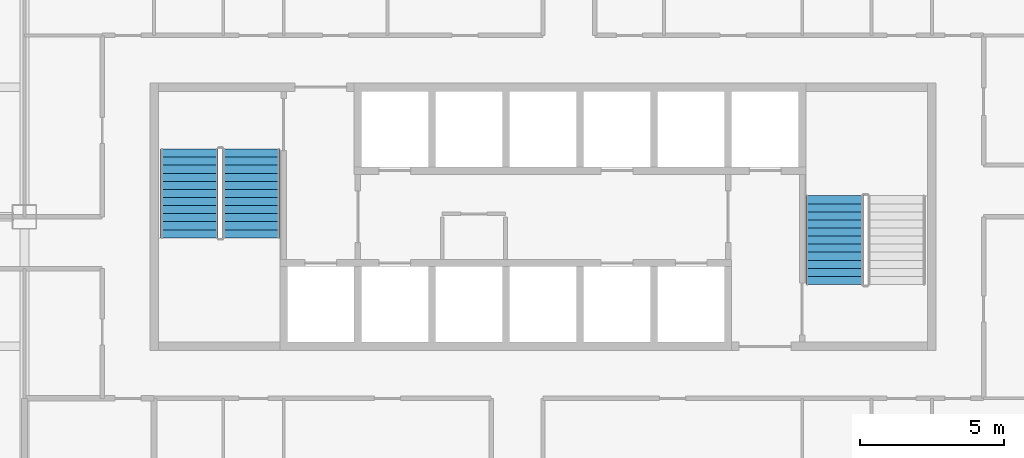
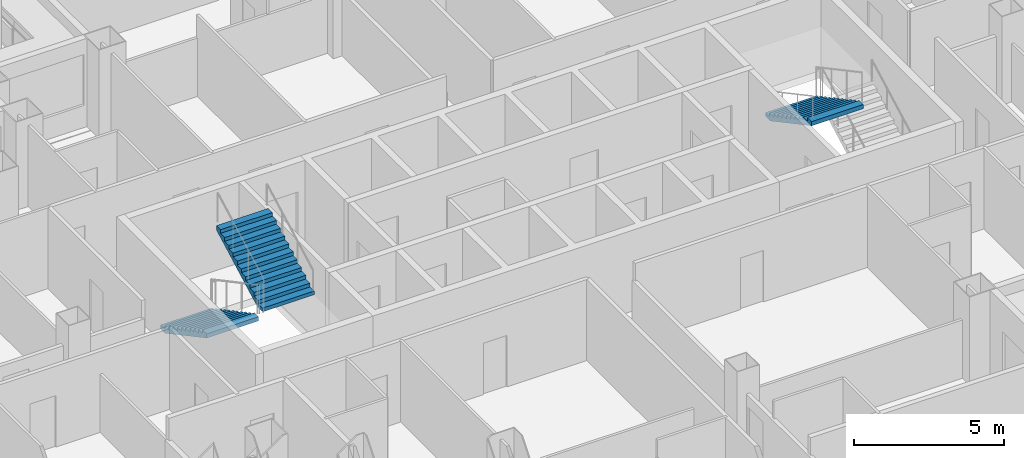
# One storey, part 12 of 26: 3 stair flights, 2 elements without a shape of their own.
"""IFC4 building model written with IfcOpenShell, lengths in metres."""

from ifc_helpers import new_model, si_unit, direction, frame, origin, place, context, subcontext, project, spatial, polygons, material, type_object, element, aggregate, save


model = new_model("IFC4")

# Units and contexts
model_context = context("Model", 3, precision=1e-05, world=origin(), true_north=direction((0.0, 1.0)))
body_context = subcontext(model_context, "Body", "Model", "MODEL_VIEW")
ifc_project = project(units=[si_unit("LENGTHUNIT", "METRE"), si_unit("AREAUNIT", "SQUARE_METRE"), si_unit("VOLUMEUNIT", "CUBIC_METRE"), si_unit("PLANEANGLEUNIT", "RADIAN"), si_unit("MASSUNIT", "GRAM", prefix="KILO")], contexts=[model_context])

# Site, building, storey
site_placement = place(None, origin())
site = spatial("IfcSite", under=ifc_project, at=site_placement, CompositionType="ELEMENT")
building_placement = place(site_placement, origin())
building = spatial("IfcBuilding", under=site, at=building_placement, Name="Caravel Reach Hotel and Residences", CompositionType="ELEMENT")
storey_placement = place(building_placement, frame((0.0, 0.0, 33.60009765625)))
storey = spatial("IfcBuildingStorey", under=building, at=storey_placement, Name="L06", CompositionType="ELEMENT", Elevation=33.60009765625)

# Stair, stair flights
ifc_material_1 = material(Name="Concrete C40", Category="concrete")
stair_type = type_object("IfcStairType", Name="Core stair", PredefinedType="HALF_TURN_STAIR", material=ifc_material_1)
stair_1_placement = place(storey_placement, origin())
stair_1 = element("IfcStair", 1, at=stair_1_placement, inside=storey, type_object=stair_type, Name="L06 Exit stair A", PredefinedType="HALF_TURN_STAIR")
ifc_material_2 = material(Name="Concrete C40", Category="concrete")
stair_flight_type = type_object("IfcStairFlightType", Name="Core stair flight", PredefinedType="STRAIGHT", material=ifc_material_2)
stair_flight_1_placement = place(storey_placement, frame((19.22509765625, 29.35009765625, 0.0), z_axis=(0.0, 0.0, 1.0), x_axis=(0.0, -1.0, 0.0)))
stair_flight_1 = element("IfcStairFlight", 2, at=stair_flight_1_placement, type_object=stair_flight_type, Name="ST-A flight 1", NumberOfRisers=12, NumberOfTreads=11, PredefinedType="STRAIGHT", RiserHeight=0.15, TreadLength=0.28, context=body_context, shape_type="Tessellation", body=[
    polygons([(0.3174408016601862, 1.0, 0.0), (0.3174408016601862, 0.6666666666666667, 0.0), (0.3174408016601862, 0.33333333333333337, 0.0), (0.3174408016601862, 0.0, 0.0), (0.3174408016601862, -0.33333333333333326, 0.0), (0.3174408016601862, -0.6666666666666667, 0.0), (0.3174408016601862, -1.0, 0.0), (3.081, 1.0, 1.479942427682043), (3.081, 0.6666666666666667, 1.479942427682043), (3.081, 0.33333333333333337, 1.479942427682043), (3.081, 0.0, 1.479942427682043), (3.081, -0.33333333333333326, 1.479942427682043), (3.081, -0.6666666666666667, 1.479942427682043), (3.081, -1.0, 1.479942427682043), (3.081, 1.0, 1.65), (3.081, 0.6666666666666667, 1.65), (3.081, 0.33333333333333337, 1.65), (3.081, 0.0, 1.65), (3.081, -0.33333333333333326, 1.65), (3.081, -0.6666666666666667, 1.65), (3.081, -1.0, 1.65), (2.8000000000000003, 1.0, 1.65), (2.8000000000000003, 0.6666666666666667, 1.65), (2.8000000000000003, 0.33333333333333337, 1.65), (2.8000000000000003, 0.0, 1.65), (2.8000000000000003, -0.33333333333333326, 1.65), (2.8000000000000003, -0.6666666666666667, 1.65), (2.8000000000000003, -1.0, 1.65), (2.8000000000000003, 1.0, 1.5), (2.8000000000000003, 0.6666666666666667, 1.5), (2.8000000000000003, 0.33333333333333337, 1.5), (2.8000000000000003, 0.0, 1.5), (2.8000000000000003, -0.33333333333333326, 1.5), (2.8000000000000003, -0.6666666666666667, 1.5), (2.8000000000000003, -1.0, 1.5), (2.5200000000000005, 1.0, 1.5), (2.5200000000000005, 0.6666666666666667, 1.5), (2.5200000000000005, 0.33333333333333337, 1.5), (2.5200000000000005, 0.0, 1.5), (2.5200000000000005, -0.33333333333333326, 1.5), (2.5200000000000005, -0.6666666666666667, 1.5), (2.5200000000000005, -1.0, 1.5), (2.5200000000000005, 1.0, 1.3499999999999999), (2.5200000000000005, 0.6666666666666667, 1.3499999999999999), (2.5200000000000005, 0.33333333333333337, 1.3499999999999999), (2.5200000000000005, 0.0, 1.3499999999999999), (2.5200000000000005, -0.33333333333333326, 1.3499999999999999), (2.5200000000000005, -0.6666666666666667, 1.3499999999999999), (2.5200000000000005, -1.0, 1.3499999999999999), (2.24, 1.0, 1.3499999999999999), (2.24, 0.6666666666666667, 1.3499999999999999), (2.24, 0.33333333333333337, 1.3499999999999999), (2.24, 0.0, 1.3499999999999999), (2.24, -0.33333333333333326, 1.3499999999999999), (2.24, -0.6666666666666667, 1.3499999999999999), (2.24, -1.0, 1.3499999999999999), (2.24, 1.0, 1.2), (2.24, 0.6666666666666667, 1.2), (2.24, 0.33333333333333337, 1.2), (2.24, 0.0, 1.2), (2.24, -0.33333333333333326, 1.2), (2.24, -0.6666666666666667, 1.2), (2.24, -1.0, 1.2), (1.9600000000000002, 1.0, 1.2), (1.9600000000000002, 0.6666666666666667, 1.2), (1.9600000000000002, 0.33333333333333337, 1.2), (1.9600000000000002, 0.0, 1.2), (1.9600000000000002, -0.33333333333333326, 1.2), (1.9600000000000002, -0.6666666666666667, 1.2), (1.9600000000000002, -1.0, 1.2), (1.9600000000000002, 1.0, 1.05), (1.9600000000000002, 0.6666666666666667, 1.05), (1.9600000000000002, 0.33333333333333337, 1.05), (1.9600000000000002, 0.0, 1.05), (1.9600000000000002, -0.33333333333333326, 1.05), (1.9600000000000002, -0.6666666666666667, 1.05), (1.9600000000000002, -1.0, 1.05), (1.6800000000000002, 1.0, 1.05), (1.6800000000000002, 0.6666666666666667, 1.05), (1.6800000000000002, 0.33333333333333337, 1.05), (1.6800000000000002, 0.0, 1.05), (1.6800000000000002, -0.33333333333333326, 1.05), (1.6800000000000002, -0.6666666666666667, 1.05), (1.6800000000000002, -1.0, 1.05), (1.6800000000000002, 1.0, 0.8999999999999999), (1.6800000000000002, 0.6666666666666667, 0.8999999999999999), (1.6800000000000002, 0.33333333333333337, 0.8999999999999999), (1.6800000000000002, 0.0, 0.8999999999999999), (1.6800000000000002, -0.33333333333333326, 0.8999999999999999), (1.6800000000000002, -0.6666666666666667, 0.8999999999999999), (1.6800000000000002, -1.0, 0.8999999999999999), (1.4000000000000001, 1.0, 0.8999999999999999), (1.4000000000000001, 0.6666666666666667, 0.8999999999999999), (1.4000000000000001, 0.33333333333333337, 0.8999999999999999), (1.4000000000000001, 0.0, 0.8999999999999999), (1.4000000000000001, -0.33333333333333326, 0.8999999999999999), (1.4000000000000001, -0.6666666666666667, 0.8999999999999999), (1.4000000000000001, -1.0, 0.8999999999999999), (1.4000000000000001, 1.0, 0.75), (1.4000000000000001, 0.6666666666666667, 0.75), (1.4000000000000001, 0.33333333333333337, 0.75), (1.4000000000000001, 0.0, 0.75), (1.4000000000000001, -0.33333333333333326, 0.75), (1.4000000000000001, -0.6666666666666667, 0.75), (1.4000000000000001, -1.0, 0.75), (1.12, 1.0, 0.75), (1.12, 0.6666666666666667, 0.75), (1.12, 0.33333333333333337, 0.75), (1.12, 0.0, 0.75), (1.12, -0.33333333333333326, 0.75), (1.12, -0.6666666666666667, 0.75), (1.12, -1.0, 0.75), (1.12, 1.0, 0.6), (1.12, 0.6666666666666667, 0.6), (1.12, 0.33333333333333337, 0.6), (1.12, 0.0, 0.6), (1.12, -0.33333333333333326, 0.6), (1.12, -0.6666666666666667, 0.6), (1.12, -1.0, 0.6), (0.8400000000000001, 1.0, 0.6), (0.8400000000000001, 0.6666666666666667, 0.6), (0.8400000000000001, 0.33333333333333337, 0.6), (0.8400000000000001, 0.0, 0.6), (0.8400000000000001, -0.33333333333333326, 0.6), (0.8400000000000001, -0.6666666666666667, 0.6), (0.8400000000000001, -1.0, 0.6), (0.8400000000000001, 1.0, 0.44999999999999996), (0.8400000000000001, 0.6666666666666667, 0.44999999999999996), (0.8400000000000001, 0.33333333333333337, 0.44999999999999996), (0.8400000000000001, 0.0, 0.44999999999999996), (0.8400000000000001, -0.33333333333333326, 0.44999999999999996), (0.8400000000000001, -0.6666666666666667, 0.44999999999999996), (0.8400000000000001, -1.0, 0.44999999999999996), (0.56, 1.0, 0.44999999999999996), (0.56, 0.6666666666666667, 0.44999999999999996), (0.56, 0.33333333333333337, 0.44999999999999996), (0.56, 0.0, 0.44999999999999996), (0.56, -0.33333333333333326, 0.44999999999999996), (0.56, -0.6666666666666667, 0.44999999999999996), (0.56, -1.0, 0.44999999999999996), (0.56, 1.0, 0.3), (0.56, 0.6666666666666667, 0.3), (0.56, 0.33333333333333337, 0.3), (0.56, 0.0, 0.3), (0.56, -0.33333333333333326, 0.3), (0.56, -0.6666666666666667, 0.3), (0.56, -1.0, 0.3), (0.28, 1.0, 0.3), (0.28, 0.6666666666666667, 0.3), (0.28, 0.33333333333333337, 0.3), (0.28, 0.0, 0.3), (0.28, -0.33333333333333326, 0.3), (0.28, -0.6666666666666667, 0.3), (0.28, -1.0, 0.3), (0.28, 1.0, 0.15), (0.28, 0.6666666666666667, 0.15), (0.28, 0.33333333333333337, 0.15), (0.28, 0.0, 0.15), (0.28, -0.33333333333333326, 0.15), (0.28, -0.6666666666666667, 0.15), (0.28, -1.0, 0.15), (-0.001, 1.0, 0.15), (-0.001, 0.6666666666666667, 0.15), (-0.001, 0.33333333333333337, 0.15), (-0.001, 0.0, 0.15), (-0.001, -0.33333333333333326, 0.15), (-0.001, -0.6666666666666667, 0.15), (-0.001, -1.0, 0.15), (-0.001, 1.0, 0.0), (-0.001, 0.6666666666666667, 0.0), (-0.001, 0.33333333333333337, 0.0), (-0.001, 0.0, 0.0), (-0.001, -0.33333333333333326, 0.0), (-0.001, -0.6666666666666667, 0.0), (-0.001, -1.0, 0.0)], [[[169, 162, 155, 148, 141, 134, 127, 120, 113, 106, 99, 92, 85, 78, 71, 64, 57, 50, 43, 36, 29, 22, 15, 8, 1]], [[7, 14, 21, 28, 35, 42, 49, 56, 63, 70, 77, 84, 91, 98, 105, 112, 119, 126, 133, 140, 147, 154, 161, 168, 175]], [[1, 8, 9, 2]], [[2, 9, 10, 3]], [[3, 10, 11, 4]], [[4, 11, 12, 5]], [[5, 12, 13, 6]], [[6, 13, 14, 7]], [[8, 15, 16, 9]], [[9, 16, 17, 10]], [[10, 17, 18, 11]], [[11, 18, 19, 12]], [[12, 19, 20, 13]], [[13, 20, 21, 14]], [[15, 22, 23, 16]], [[16, 23, 24, 17]], [[17, 24, 25, 18]], [[18, 25, 26, 19]], [[19, 26, 27, 20]], [[20, 27, 28, 21]], [[22, 29, 30, 23]], [[23, 30, 31, 24]], [[24, 31, 32, 25]], [[25, 32, 33, 26]], [[26, 33, 34, 27]], [[27, 34, 35, 28]], [[29, 36, 37, 30]], [[30, 37, 38, 31]], [[31, 38, 39, 32]], [[32, 39, 40, 33]], [[33, 40, 41, 34]], [[34, 41, 42, 35]], [[36, 43, 44, 37]], [[37, 44, 45, 38]], [[38, 45, 46, 39]], [[39, 46, 47, 40]], [[40, 47, 48, 41]], [[41, 48, 49, 42]], [[43, 50, 51, 44]], [[44, 51, 52, 45]], [[45, 52, 53, 46]], [[46, 53, 54, 47]], [[47, 54, 55, 48]], [[48, 55, 56, 49]], [[50, 57, 58, 51]], [[51, 58, 59, 52]], [[52, 59, 60, 53]], [[53, 60, 61, 54]], [[54, 61, 62, 55]], [[55, 62, 63, 56]], [[57, 64, 65, 58]], [[58, 65, 66, 59]], [[59, 66, 67, 60]], [[60, 67, 68, 61]], [[61, 68, 69, 62]], [[62, 69, 70, 63]], [[64, 71, 72, 65]], [[65, 72, 73, 66]], [[66, 73, 74, 67]], [[67, 74, 75, 68]], [[68, 75, 76, 69]], [[69, 76, 77, 70]], [[71, 78, 79, 72]], [[72, 79, 80, 73]], [[73, 80, 81, 74]], [[74, 81, 82, 75]], [[75, 82, 83, 76]], [[76, 83, 84, 77]], [[78, 85, 86, 79]], [[79, 86, 87, 80]], [[80, 87, 88, 81]], [[81, 88, 89, 82]], [[82, 89, 90, 83]], [[83, 90, 91, 84]], [[85, 92, 93, 86]], [[86, 93, 94, 87]], [[87, 94, 95, 88]], [[88, 95, 96, 89]], [[89, 96, 97, 90]], [[90, 97, 98, 91]], [[92, 99, 100, 93]], [[93, 100, 101, 94]], [[94, 101, 102, 95]], [[95, 102, 103, 96]], [[96, 103, 104, 97]], [[97, 104, 105, 98]], [[99, 106, 107, 100]], [[100, 107, 108, 101]], [[101, 108, 109, 102]], [[102, 109, 110, 103]], [[103, 110, 111, 104]], [[104, 111, 112, 105]], [[106, 113, 114, 107]], [[107, 114, 115, 108]], [[108, 115, 116, 109]], [[109, 116, 117, 110]], [[110, 117, 118, 111]], [[111, 118, 119, 112]], [[113, 120, 121, 114]], [[114, 121, 122, 115]], [[115, 122, 123, 116]], [[116, 123, 124, 117]], [[117, 124, 125, 118]], [[118, 125, 126, 119]], [[120, 127, 128, 121]], [[121, 128, 129, 122]], [[122, 129, 130, 123]], [[123, 130, 131, 124]], [[124, 131, 132, 125]], [[125, 132, 133, 126]], [[127, 134, 135, 128]], [[128, 135, 136, 129]], [[129, 136, 137, 130]], [[130, 137, 138, 131]], [[131, 138, 139, 132]], [[132, 139, 140, 133]], [[134, 141, 142, 135]], [[135, 142, 143, 136]], [[136, 143, 144, 137]], [[137, 144, 145, 138]], [[138, 145, 146, 139]], [[139, 146, 147, 140]], [[141, 148, 149, 142]], [[142, 149, 150, 143]], [[143, 150, 151, 144]], [[144, 151, 152, 145]], [[145, 152, 153, 146]], [[146, 153, 154, 147]], [[148, 155, 156, 149]], [[149, 156, 157, 150]], [[150, 157, 158, 151]], [[151, 158, 159, 152]], [[152, 159, 160, 153]], [[153, 160, 161, 154]], [[155, 162, 163, 156]], [[156, 163, 164, 157]], [[157, 164, 165, 158]], [[158, 165, 166, 159]], [[159, 166, 167, 160]], [[160, 167, 168, 161]], [[162, 169, 170, 163]], [[163, 170, 171, 164]], [[164, 171, 172, 165]], [[165, 172, 173, 166]], [[166, 173, 174, 167]], [[167, 174, 175, 168]], [[169, 1, 2, 170]], [[170, 2, 3, 171]], [[171, 3, 4, 172]], [[172, 4, 5, 173]], [[173, 5, 6, 174]], [[174, 6, 7, 175]]], closed=True),
])
stair_flight_2_placement = place(storey_placement, frame((21.375, 26.27001953125, 1.7998046875), z_axis=(0.0, 0.0, 1.0), x_axis=(0.0, 1.0, 0.0)))
stair_flight_2 = element("IfcStairFlight", 3, at=stair_flight_2_placement, type_object=stair_flight_type, Name="ST-A flight 2", NumberOfRisers=12, NumberOfTreads=11, PredefinedType="STRAIGHT", RiserHeight=0.15, TreadLength=0.28, context=body_context, shape_type="Tessellation", body=[
    polygons([(0.3174408016601862, 1.0, 0.0), (0.3174408016601862, 0.6666666666666667, 0.0), (0.3174408016601862, 0.33333333333333337, 0.0), (0.3174408016601862, 0.0, 0.0), (0.3174408016601862, -0.33333333333333326, 0.0), (0.3174408016601862, -0.6666666666666667, 0.0), (0.3174408016601862, -1.0, 0.0), (3.081, 1.0, 1.479942427682043), (3.081, 0.6666666666666667, 1.479942427682043), (3.081, 0.33333333333333337, 1.479942427682043), (3.081, 0.0, 1.479942427682043), (3.081, -0.33333333333333326, 1.479942427682043), (3.081, -0.6666666666666667, 1.479942427682043), (3.081, -1.0, 1.479942427682043), (3.081, 1.0, 1.65), (3.081, 0.6666666666666667, 1.65), (3.081, 0.33333333333333337, 1.65), (3.081, 0.0, 1.65), (3.081, -0.33333333333333326, 1.65), (3.081, -0.6666666666666667, 1.65), (3.081, -1.0, 1.65), (2.8000000000000003, 1.0, 1.65), (2.8000000000000003, 0.6666666666666667, 1.65), (2.8000000000000003, 0.33333333333333337, 1.65), (2.8000000000000003, 0.0, 1.65), (2.8000000000000003, -0.33333333333333326, 1.65), (2.8000000000000003, -0.6666666666666667, 1.65), (2.8000000000000003, -1.0, 1.65), (2.8000000000000003, 1.0, 1.5), (2.8000000000000003, 0.6666666666666667, 1.5), (2.8000000000000003, 0.33333333333333337, 1.5), (2.8000000000000003, 0.0, 1.5), (2.8000000000000003, -0.33333333333333326, 1.5), (2.8000000000000003, -0.6666666666666667, 1.5), (2.8000000000000003, -1.0, 1.5), (2.5200000000000005, 1.0, 1.5), (2.5200000000000005, 0.6666666666666667, 1.5), (2.5200000000000005, 0.33333333333333337, 1.5), (2.5200000000000005, 0.0, 1.5), (2.5200000000000005, -0.33333333333333326, 1.5), (2.5200000000000005, -0.6666666666666667, 1.5), (2.5200000000000005, -1.0, 1.5), (2.5200000000000005, 1.0, 1.3499999999999999), (2.5200000000000005, 0.6666666666666667, 1.3499999999999999), (2.5200000000000005, 0.33333333333333337, 1.3499999999999999), (2.5200000000000005, 0.0, 1.3499999999999999), (2.5200000000000005, -0.33333333333333326, 1.3499999999999999), (2.5200000000000005, -0.6666666666666667, 1.3499999999999999), (2.5200000000000005, -1.0, 1.3499999999999999), (2.24, 1.0, 1.3499999999999999), (2.24, 0.6666666666666667, 1.3499999999999999), (2.24, 0.33333333333333337, 1.3499999999999999), (2.24, 0.0, 1.3499999999999999), (2.24, -0.33333333333333326, 1.3499999999999999), (2.24, -0.6666666666666667, 1.3499999999999999), (2.24, -1.0, 1.3499999999999999), (2.24, 1.0, 1.2), (2.24, 0.6666666666666667, 1.2), (2.24, 0.33333333333333337, 1.2), (2.24, 0.0, 1.2), (2.24, -0.33333333333333326, 1.2), (2.24, -0.6666666666666667, 1.2), (2.24, -1.0, 1.2), (1.9600000000000002, 1.0, 1.2), (1.9600000000000002, 0.6666666666666667, 1.2), (1.9600000000000002, 0.33333333333333337, 1.2), (1.9600000000000002, 0.0, 1.2), (1.9600000000000002, -0.33333333333333326, 1.2), (1.9600000000000002, -0.6666666666666667, 1.2), (1.9600000000000002, -1.0, 1.2), (1.9600000000000002, 1.0, 1.05), (1.9600000000000002, 0.6666666666666667, 1.05), (1.9600000000000002, 0.33333333333333337, 1.05), (1.9600000000000002, 0.0, 1.05), (1.9600000000000002, -0.33333333333333326, 1.05), (1.9600000000000002, -0.6666666666666667, 1.05), (1.9600000000000002, -1.0, 1.05), (1.6800000000000002, 1.0, 1.05), (1.6800000000000002, 0.6666666666666667, 1.05), (1.6800000000000002, 0.33333333333333337, 1.05), (1.6800000000000002, 0.0, 1.05), (1.6800000000000002, -0.33333333333333326, 1.05), (1.6800000000000002, -0.6666666666666667, 1.05), (1.6800000000000002, -1.0, 1.05), (1.6800000000000002, 1.0, 0.8999999999999999), (1.6800000000000002, 0.6666666666666667, 0.8999999999999999), (1.6800000000000002, 0.33333333333333337, 0.8999999999999999), (1.6800000000000002, 0.0, 0.8999999999999999), (1.6800000000000002, -0.33333333333333326, 0.8999999999999999), (1.6800000000000002, -0.6666666666666667, 0.8999999999999999), (1.6800000000000002, -1.0, 0.8999999999999999), (1.4000000000000001, 1.0, 0.8999999999999999), (1.4000000000000001, 0.6666666666666667, 0.8999999999999999), (1.4000000000000001, 0.33333333333333337, 0.8999999999999999), (1.4000000000000001, 0.0, 0.8999999999999999), (1.4000000000000001, -0.33333333333333326, 0.8999999999999999), (1.4000000000000001, -0.6666666666666667, 0.8999999999999999), (1.4000000000000001, -1.0, 0.8999999999999999), (1.4000000000000001, 1.0, 0.75), (1.4000000000000001, 0.6666666666666667, 0.75), (1.4000000000000001, 0.33333333333333337, 0.75), (1.4000000000000001, 0.0, 0.75), (1.4000000000000001, -0.33333333333333326, 0.75), (1.4000000000000001, -0.6666666666666667, 0.75), (1.4000000000000001, -1.0, 0.75), (1.12, 1.0, 0.75), (1.12, 0.6666666666666667, 0.75), (1.12, 0.33333333333333337, 0.75), (1.12, 0.0, 0.75), (1.12, -0.33333333333333326, 0.75), (1.12, -0.6666666666666667, 0.75), (1.12, -1.0, 0.75), (1.12, 1.0, 0.6), (1.12, 0.6666666666666667, 0.6), (1.12, 0.33333333333333337, 0.6), (1.12, 0.0, 0.6), (1.12, -0.33333333333333326, 0.6), (1.12, -0.6666666666666667, 0.6), (1.12, -1.0, 0.6), (0.8400000000000001, 1.0, 0.6), (0.8400000000000001, 0.6666666666666667, 0.6), (0.8400000000000001, 0.33333333333333337, 0.6), (0.8400000000000001, 0.0, 0.6), (0.8400000000000001, -0.33333333333333326, 0.6), (0.8400000000000001, -0.6666666666666667, 0.6), (0.8400000000000001, -1.0, 0.6), (0.8400000000000001, 1.0, 0.44999999999999996), (0.8400000000000001, 0.6666666666666667, 0.44999999999999996), (0.8400000000000001, 0.33333333333333337, 0.44999999999999996), (0.8400000000000001, 0.0, 0.44999999999999996), (0.8400000000000001, -0.33333333333333326, 0.44999999999999996), (0.8400000000000001, -0.6666666666666667, 0.44999999999999996), (0.8400000000000001, -1.0, 0.44999999999999996), (0.56, 1.0, 0.44999999999999996), (0.56, 0.6666666666666667, 0.44999999999999996), (0.56, 0.33333333333333337, 0.44999999999999996), (0.56, 0.0, 0.44999999999999996), (0.56, -0.33333333333333326, 0.44999999999999996), (0.56, -0.6666666666666667, 0.44999999999999996), (0.56, -1.0, 0.44999999999999996), (0.56, 1.0, 0.3), (0.56, 0.6666666666666667, 0.3), (0.56, 0.33333333333333337, 0.3), (0.56, 0.0, 0.3), (0.56, -0.33333333333333326, 0.3), (0.56, -0.6666666666666667, 0.3), (0.56, -1.0, 0.3), (0.28, 1.0, 0.3), (0.28, 0.6666666666666667, 0.3), (0.28, 0.33333333333333337, 0.3), (0.28, 0.0, 0.3), (0.28, -0.33333333333333326, 0.3), (0.28, -0.6666666666666667, 0.3), (0.28, -1.0, 0.3), (0.28, 1.0, 0.15), (0.28, 0.6666666666666667, 0.15), (0.28, 0.33333333333333337, 0.15), (0.28, 0.0, 0.15), (0.28, -0.33333333333333326, 0.15), (0.28, -0.6666666666666667, 0.15), (0.28, -1.0, 0.15), (-0.001, 1.0, 0.15), (-0.001, 0.6666666666666667, 0.15), (-0.001, 0.33333333333333337, 0.15), (-0.001, 0.0, 0.15), (-0.001, -0.33333333333333326, 0.15), (-0.001, -0.6666666666666667, 0.15), (-0.001, -1.0, 0.15), (-0.001, 1.0, 0.0), (-0.001, 0.6666666666666667, 0.0), (-0.001, 0.33333333333333337, 0.0), (-0.001, 0.0, 0.0), (-0.001, -0.33333333333333326, 0.0), (-0.001, -0.6666666666666667, 0.0), (-0.001, -1.0, 0.0)], [[[169, 162, 155, 148, 141, 134, 127, 120, 113, 106, 99, 92, 85, 78, 71, 64, 57, 50, 43, 36, 29, 22, 15, 8, 1]], [[7, 14, 21, 28, 35, 42, 49, 56, 63, 70, 77, 84, 91, 98, 105, 112, 119, 126, 133, 140, 147, 154, 161, 168, 175]], [[1, 8, 9, 2]], [[2, 9, 10, 3]], [[3, 10, 11, 4]], [[4, 11, 12, 5]], [[5, 12, 13, 6]], [[6, 13, 14, 7]], [[8, 15, 16, 9]], [[9, 16, 17, 10]], [[10, 17, 18, 11]], [[11, 18, 19, 12]], [[12, 19, 20, 13]], [[13, 20, 21, 14]], [[15, 22, 23, 16]], [[16, 23, 24, 17]], [[17, 24, 25, 18]], [[18, 25, 26, 19]], [[19, 26, 27, 20]], [[20, 27, 28, 21]], [[22, 29, 30, 23]], [[23, 30, 31, 24]], [[24, 31, 32, 25]], [[25, 32, 33, 26]], [[26, 33, 34, 27]], [[27, 34, 35, 28]], [[29, 36, 37, 30]], [[30, 37, 38, 31]], [[31, 38, 39, 32]], [[32, 39, 40, 33]], [[33, 40, 41, 34]], [[34, 41, 42, 35]], [[36, 43, 44, 37]], [[37, 44, 45, 38]], [[38, 45, 46, 39]], [[39, 46, 47, 40]], [[40, 47, 48, 41]], [[41, 48, 49, 42]], [[43, 50, 51, 44]], [[44, 51, 52, 45]], [[45, 52, 53, 46]], [[46, 53, 54, 47]], [[47, 54, 55, 48]], [[48, 55, 56, 49]], [[50, 57, 58, 51]], [[51, 58, 59, 52]], [[52, 59, 60, 53]], [[53, 60, 61, 54]], [[54, 61, 62, 55]], [[55, 62, 63, 56]], [[57, 64, 65, 58]], [[58, 65, 66, 59]], [[59, 66, 67, 60]], [[60, 67, 68, 61]], [[61, 68, 69, 62]], [[62, 69, 70, 63]], [[64, 71, 72, 65]], [[65, 72, 73, 66]], [[66, 73, 74, 67]], [[67, 74, 75, 68]], [[68, 75, 76, 69]], [[69, 76, 77, 70]], [[71, 78, 79, 72]], [[72, 79, 80, 73]], [[73, 80, 81, 74]], [[74, 81, 82, 75]], [[75, 82, 83, 76]], [[76, 83, 84, 77]], [[78, 85, 86, 79]], [[79, 86, 87, 80]], [[80, 87, 88, 81]], [[81, 88, 89, 82]], [[82, 89, 90, 83]], [[83, 90, 91, 84]], [[85, 92, 93, 86]], [[86, 93, 94, 87]], [[87, 94, 95, 88]], [[88, 95, 96, 89]], [[89, 96, 97, 90]], [[90, 97, 98, 91]], [[92, 99, 100, 93]], [[93, 100, 101, 94]], [[94, 101, 102, 95]], [[95, 102, 103, 96]], [[96, 103, 104, 97]], [[97, 104, 105, 98]], [[99, 106, 107, 100]], [[100, 107, 108, 101]], [[101, 108, 109, 102]], [[102, 109, 110, 103]], [[103, 110, 111, 104]], [[104, 111, 112, 105]], [[106, 113, 114, 107]], [[107, 114, 115, 108]], [[108, 115, 116, 109]], [[109, 116, 117, 110]], [[110, 117, 118, 111]], [[111, 118, 119, 112]], [[113, 120, 121, 114]], [[114, 121, 122, 115]], [[115, 122, 123, 116]], [[116, 123, 124, 117]], [[117, 124, 125, 118]], [[118, 125, 126, 119]], [[120, 127, 128, 121]], [[121, 128, 129, 122]], [[122, 129, 130, 123]], [[123, 130, 131, 124]], [[124, 131, 132, 125]], [[125, 132, 133, 126]], [[127, 134, 135, 128]], [[128, 135, 136, 129]], [[129, 136, 137, 130]], [[130, 137, 138, 131]], [[131, 138, 139, 132]], [[132, 139, 140, 133]], [[134, 141, 142, 135]], [[135, 142, 143, 136]], [[136, 143, 144, 137]], [[137, 144, 145, 138]], [[138, 145, 146, 139]], [[139, 146, 147, 140]], [[141, 148, 149, 142]], [[142, 149, 150, 143]], [[143, 150, 151, 144]], [[144, 151, 152, 145]], [[145, 152, 153, 146]], [[146, 153, 154, 147]], [[148, 155, 156, 149]], [[149, 156, 157, 150]], [[150, 157, 158, 151]], [[151, 158, 159, 152]], [[152, 159, 160, 153]], [[153, 160, 161, 154]], [[155, 162, 163, 156]], [[156, 163, 164, 157]], [[157, 164, 165, 158]], [[158, 165, 166, 159]], [[159, 166, 167, 160]], [[160, 167, 168, 161]], [[162, 169, 170, 163]], [[163, 170, 171, 164]], [[164, 171, 172, 165]], [[165, 172, 173, 166]], [[166, 173, 174, 167]], [[167, 174, 175, 168]], [[169, 1, 2, 170]], [[170, 2, 3, 171]], [[171, 3, 4, 172]], [[172, 4, 5, 173]], [[173, 5, 6, 174]], [[174, 6, 7, 175]]], closed=True),
])
aggregate(stair_1, [stair_flight_1, stair_flight_2])

# Stair, stair flight
stair_2_placement = place(storey_placement, origin())
stair_2 = element("IfcStair", 4, at=stair_2_placement, inside=storey, type_object=stair_type, Name="L06 Exit stair B", PredefinedType="HALF_TURN_STAIR")
stair_flight_3_placement = place(storey_placement, frame((41.625, 27.72998046875, 1.7998046875), z_axis=(0.0, 0.0, 1.0), x_axis=(0.0, -1.0, 0.0)))
stair_flight_3 = element("IfcStairFlight", 5, at=stair_flight_3_placement, type_object=stair_flight_type, Name="ST-B flight 2", NumberOfRisers=12, NumberOfTreads=11, PredefinedType="STRAIGHT", RiserHeight=0.15, TreadLength=0.28, context=body_context, shape_type="Tessellation", body=[
    polygons([(0.3174408016601862, 1.0, 0.0), (0.3174408016601862, 0.6666666666666667, 0.0), (0.3174408016601862, 0.33333333333333337, 0.0), (0.3174408016601862, 0.0, 0.0), (0.3174408016601862, -0.33333333333333326, 0.0), (0.3174408016601862, -0.6666666666666667, 0.0), (0.3174408016601862, -1.0, 0.0), (3.081, 1.0, 1.479942427682043), (3.081, 0.6666666666666667, 1.479942427682043), (3.081, 0.33333333333333337, 1.479942427682043), (3.081, 0.0, 1.479942427682043), (3.081, -0.33333333333333326, 1.479942427682043), (3.081, -0.6666666666666667, 1.479942427682043), (3.081, -1.0, 1.479942427682043), (3.081, 1.0, 1.65), (3.081, 0.6666666666666667, 1.65), (3.081, 0.33333333333333337, 1.65), (3.081, 0.0, 1.65), (3.081, -0.33333333333333326, 1.65), (3.081, -0.6666666666666667, 1.65), (3.081, -1.0, 1.65), (2.8000000000000003, 1.0, 1.65), (2.8000000000000003, 0.6666666666666667, 1.65), (2.8000000000000003, 0.33333333333333337, 1.65), (2.8000000000000003, 0.0, 1.65), (2.8000000000000003, -0.33333333333333326, 1.65), (2.8000000000000003, -0.6666666666666667, 1.65), (2.8000000000000003, -1.0, 1.65), (2.8000000000000003, 1.0, 1.5), (2.8000000000000003, 0.6666666666666667, 1.5), (2.8000000000000003, 0.33333333333333337, 1.5), (2.8000000000000003, 0.0, 1.5), (2.8000000000000003, -0.33333333333333326, 1.5), (2.8000000000000003, -0.6666666666666667, 1.5), (2.8000000000000003, -1.0, 1.5), (2.5200000000000005, 1.0, 1.5), (2.5200000000000005, 0.6666666666666667, 1.5), (2.5200000000000005, 0.33333333333333337, 1.5), (2.5200000000000005, 0.0, 1.5), (2.5200000000000005, -0.33333333333333326, 1.5), (2.5200000000000005, -0.6666666666666667, 1.5), (2.5200000000000005, -1.0, 1.5), (2.5200000000000005, 1.0, 1.3499999999999999), (2.5200000000000005, 0.6666666666666667, 1.3499999999999999), (2.5200000000000005, 0.33333333333333337, 1.3499999999999999), (2.5200000000000005, 0.0, 1.3499999999999999), (2.5200000000000005, -0.33333333333333326, 1.3499999999999999), (2.5200000000000005, -0.6666666666666667, 1.3499999999999999), (2.5200000000000005, -1.0, 1.3499999999999999), (2.24, 1.0, 1.3499999999999999), (2.24, 0.6666666666666667, 1.3499999999999999), (2.24, 0.33333333333333337, 1.3499999999999999), (2.24, 0.0, 1.3499999999999999), (2.24, -0.33333333333333326, 1.3499999999999999), (2.24, -0.6666666666666667, 1.3499999999999999), (2.24, -1.0, 1.3499999999999999), (2.24, 1.0, 1.2), (2.24, 0.6666666666666667, 1.2), (2.24, 0.33333333333333337, 1.2), (2.24, 0.0, 1.2), (2.24, -0.33333333333333326, 1.2), (2.24, -0.6666666666666667, 1.2), (2.24, -1.0, 1.2), (1.9600000000000002, 1.0, 1.2), (1.9600000000000002, 0.6666666666666667, 1.2), (1.9600000000000002, 0.33333333333333337, 1.2), (1.9600000000000002, 0.0, 1.2), (1.9600000000000002, -0.33333333333333326, 1.2), (1.9600000000000002, -0.6666666666666667, 1.2), (1.9600000000000002, -1.0, 1.2), (1.9600000000000002, 1.0, 1.05), (1.9600000000000002, 0.6666666666666667, 1.05), (1.9600000000000002, 0.33333333333333337, 1.05), (1.9600000000000002, 0.0, 1.05), (1.9600000000000002, -0.33333333333333326, 1.05), (1.9600000000000002, -0.6666666666666667, 1.05), (1.9600000000000002, -1.0, 1.05), (1.6800000000000002, 1.0, 1.05), (1.6800000000000002, 0.6666666666666667, 1.05), (1.6800000000000002, 0.33333333333333337, 1.05), (1.6800000000000002, 0.0, 1.05), (1.6800000000000002, -0.33333333333333326, 1.05), (1.6800000000000002, -0.6666666666666667, 1.05), (1.6800000000000002, -1.0, 1.05), (1.6800000000000002, 1.0, 0.8999999999999999), (1.6800000000000002, 0.6666666666666667, 0.8999999999999999), (1.6800000000000002, 0.33333333333333337, 0.8999999999999999), (1.6800000000000002, 0.0, 0.8999999999999999), (1.6800000000000002, -0.33333333333333326, 0.8999999999999999), (1.6800000000000002, -0.6666666666666667, 0.8999999999999999), (1.6800000000000002, -1.0, 0.8999999999999999), (1.4000000000000001, 1.0, 0.8999999999999999), (1.4000000000000001, 0.6666666666666667, 0.8999999999999999), (1.4000000000000001, 0.33333333333333337, 0.8999999999999999), (1.4000000000000001, 0.0, 0.8999999999999999), (1.4000000000000001, -0.33333333333333326, 0.8999999999999999), (1.4000000000000001, -0.6666666666666667, 0.8999999999999999), (1.4000000000000001, -1.0, 0.8999999999999999), (1.4000000000000001, 1.0, 0.75), (1.4000000000000001, 0.6666666666666667, 0.75), (1.4000000000000001, 0.33333333333333337, 0.75), (1.4000000000000001, 0.0, 0.75), (1.4000000000000001, -0.33333333333333326, 0.75), (1.4000000000000001, -0.6666666666666667, 0.75), (1.4000000000000001, -1.0, 0.75), (1.12, 1.0, 0.75), (1.12, 0.6666666666666667, 0.75), (1.12, 0.33333333333333337, 0.75), (1.12, 0.0, 0.75), (1.12, -0.33333333333333326, 0.75), (1.12, -0.6666666666666667, 0.75), (1.12, -1.0, 0.75), (1.12, 1.0, 0.6), (1.12, 0.6666666666666667, 0.6), (1.12, 0.33333333333333337, 0.6), (1.12, 0.0, 0.6), (1.12, -0.33333333333333326, 0.6), (1.12, -0.6666666666666667, 0.6), (1.12, -1.0, 0.6), (0.8400000000000001, 1.0, 0.6), (0.8400000000000001, 0.6666666666666667, 0.6), (0.8400000000000001, 0.33333333333333337, 0.6), (0.8400000000000001, 0.0, 0.6), (0.8400000000000001, -0.33333333333333326, 0.6), (0.8400000000000001, -0.6666666666666667, 0.6), (0.8400000000000001, -1.0, 0.6), (0.8400000000000001, 1.0, 0.44999999999999996), (0.8400000000000001, 0.6666666666666667, 0.44999999999999996), (0.8400000000000001, 0.33333333333333337, 0.44999999999999996), (0.8400000000000001, 0.0, 0.44999999999999996), (0.8400000000000001, -0.33333333333333326, 0.44999999999999996), (0.8400000000000001, -0.6666666666666667, 0.44999999999999996), (0.8400000000000001, -1.0, 0.44999999999999996), (0.56, 1.0, 0.44999999999999996), (0.56, 0.6666666666666667, 0.44999999999999996), (0.56, 0.33333333333333337, 0.44999999999999996), (0.56, 0.0, 0.44999999999999996), (0.56, -0.33333333333333326, 0.44999999999999996), (0.56, -0.6666666666666667, 0.44999999999999996), (0.56, -1.0, 0.44999999999999996), (0.56, 1.0, 0.3), (0.56, 0.6666666666666667, 0.3), (0.56, 0.33333333333333337, 0.3), (0.56, 0.0, 0.3), (0.56, -0.33333333333333326, 0.3), (0.56, -0.6666666666666667, 0.3), (0.56, -1.0, 0.3), (0.28, 1.0, 0.3), (0.28, 0.6666666666666667, 0.3), (0.28, 0.33333333333333337, 0.3), (0.28, 0.0, 0.3), (0.28, -0.33333333333333326, 0.3), (0.28, -0.6666666666666667, 0.3), (0.28, -1.0, 0.3), (0.28, 1.0, 0.15), (0.28, 0.6666666666666667, 0.15), (0.28, 0.33333333333333337, 0.15), (0.28, 0.0, 0.15), (0.28, -0.33333333333333326, 0.15), (0.28, -0.6666666666666667, 0.15), (0.28, -1.0, 0.15), (-0.001, 1.0, 0.15), (-0.001, 0.6666666666666667, 0.15), (-0.001, 0.33333333333333337, 0.15), (-0.001, 0.0, 0.15), (-0.001, -0.33333333333333326, 0.15), (-0.001, -0.6666666666666667, 0.15), (-0.001, -1.0, 0.15), (-0.001, 1.0, 0.0), (-0.001, 0.6666666666666667, 0.0), (-0.001, 0.33333333333333337, 0.0), (-0.001, 0.0, 0.0), (-0.001, -0.33333333333333326, 0.0), (-0.001, -0.6666666666666667, 0.0), (-0.001, -1.0, 0.0)], [[[169, 162, 155, 148, 141, 134, 127, 120, 113, 106, 99, 92, 85, 78, 71, 64, 57, 50, 43, 36, 29, 22, 15, 8, 1]], [[7, 14, 21, 28, 35, 42, 49, 56, 63, 70, 77, 84, 91, 98, 105, 112, 119, 126, 133, 140, 147, 154, 161, 168, 175]], [[1, 8, 9, 2]], [[2, 9, 10, 3]], [[3, 10, 11, 4]], [[4, 11, 12, 5]], [[5, 12, 13, 6]], [[6, 13, 14, 7]], [[8, 15, 16, 9]], [[9, 16, 17, 10]], [[10, 17, 18, 11]], [[11, 18, 19, 12]], [[12, 19, 20, 13]], [[13, 20, 21, 14]], [[15, 22, 23, 16]], [[16, 23, 24, 17]], [[17, 24, 25, 18]], [[18, 25, 26, 19]], [[19, 26, 27, 20]], [[20, 27, 28, 21]], [[22, 29, 30, 23]], [[23, 30, 31, 24]], [[24, 31, 32, 25]], [[25, 32, 33, 26]], [[26, 33, 34, 27]], [[27, 34, 35, 28]], [[29, 36, 37, 30]], [[30, 37, 38, 31]], [[31, 38, 39, 32]], [[32, 39, 40, 33]], [[33, 40, 41, 34]], [[34, 41, 42, 35]], [[36, 43, 44, 37]], [[37, 44, 45, 38]], [[38, 45, 46, 39]], [[39, 46, 47, 40]], [[40, 47, 48, 41]], [[41, 48, 49, 42]], [[43, 50, 51, 44]], [[44, 51, 52, 45]], [[45, 52, 53, 46]], [[46, 53, 54, 47]], [[47, 54, 55, 48]], [[48, 55, 56, 49]], [[50, 57, 58, 51]], [[51, 58, 59, 52]], [[52, 59, 60, 53]], [[53, 60, 61, 54]], [[54, 61, 62, 55]], [[55, 62, 63, 56]], [[57, 64, 65, 58]], [[58, 65, 66, 59]], [[59, 66, 67, 60]], [[60, 67, 68, 61]], [[61, 68, 69, 62]], [[62, 69, 70, 63]], [[64, 71, 72, 65]], [[65, 72, 73, 66]], [[66, 73, 74, 67]], [[67, 74, 75, 68]], [[68, 75, 76, 69]], [[69, 76, 77, 70]], [[71, 78, 79, 72]], [[72, 79, 80, 73]], [[73, 80, 81, 74]], [[74, 81, 82, 75]], [[75, 82, 83, 76]], [[76, 83, 84, 77]], [[78, 85, 86, 79]], [[79, 86, 87, 80]], [[80, 87, 88, 81]], [[81, 88, 89, 82]], [[82, 89, 90, 83]], [[83, 90, 91, 84]], [[85, 92, 93, 86]], [[86, 93, 94, 87]], [[87, 94, 95, 88]], [[88, 95, 96, 89]], [[89, 96, 97, 90]], [[90, 97, 98, 91]], [[92, 99, 100, 93]], [[93, 100, 101, 94]], [[94, 101, 102, 95]], [[95, 102, 103, 96]], [[96, 103, 104, 97]], [[97, 104, 105, 98]], [[99, 106, 107, 100]], [[100, 107, 108, 101]], [[101, 108, 109, 102]], [[102, 109, 110, 103]], [[103, 110, 111, 104]], [[104, 111, 112, 105]], [[106, 113, 114, 107]], [[107, 114, 115, 108]], [[108, 115, 116, 109]], [[109, 116, 117, 110]], [[110, 117, 118, 111]], [[111, 118, 119, 112]], [[113, 120, 121, 114]], [[114, 121, 122, 115]], [[115, 122, 123, 116]], [[116, 123, 124, 117]], [[117, 124, 125, 118]], [[118, 125, 126, 119]], [[120, 127, 128, 121]], [[121, 128, 129, 122]], [[122, 129, 130, 123]], [[123, 130, 131, 124]], [[124, 131, 132, 125]], [[125, 132, 133, 126]], [[127, 134, 135, 128]], [[128, 135, 136, 129]], [[129, 136, 137, 130]], [[130, 137, 138, 131]], [[131, 138, 139, 132]], [[132, 139, 140, 133]], [[134, 141, 142, 135]], [[135, 142, 143, 136]], [[136, 143, 144, 137]], [[137, 144, 145, 138]], [[138, 145, 146, 139]], [[139, 146, 147, 140]], [[141, 148, 149, 142]], [[142, 149, 150, 143]], [[143, 150, 151, 144]], [[144, 151, 152, 145]], [[145, 152, 153, 146]], [[146, 153, 154, 147]], [[148, 155, 156, 149]], [[149, 156, 157, 150]], [[150, 157, 158, 151]], [[151, 158, 159, 152]], [[152, 159, 160, 153]], [[153, 160, 161, 154]], [[155, 162, 163, 156]], [[156, 163, 164, 157]], [[157, 164, 165, 158]], [[158, 165, 166, 159]], [[159, 166, 167, 160]], [[160, 167, 168, 161]], [[162, 169, 170, 163]], [[163, 170, 171, 164]], [[164, 171, 172, 165]], [[165, 172, 173, 166]], [[166, 173, 174, 167]], [[167, 174, 175, 168]], [[169, 1, 2, 170]], [[170, 2, 3, 171]], [[171, 3, 4, 172]], [[172, 4, 5, 173]], [[173, 5, 6, 174]], [[174, 6, 7, 175]]], closed=True),
])
aggregate(stair_2, [stair_flight_3])

save(model, "model.ifc")
